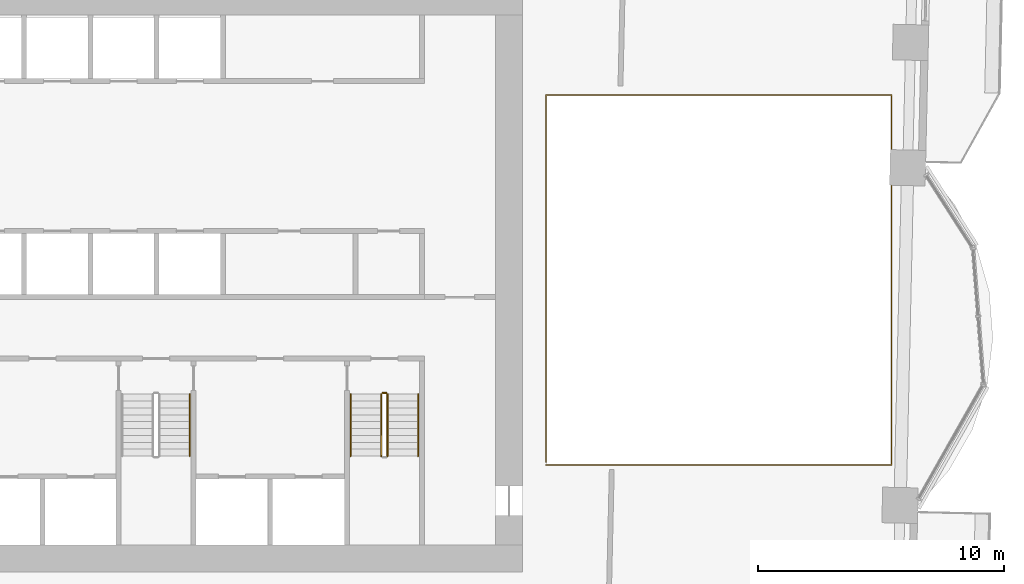
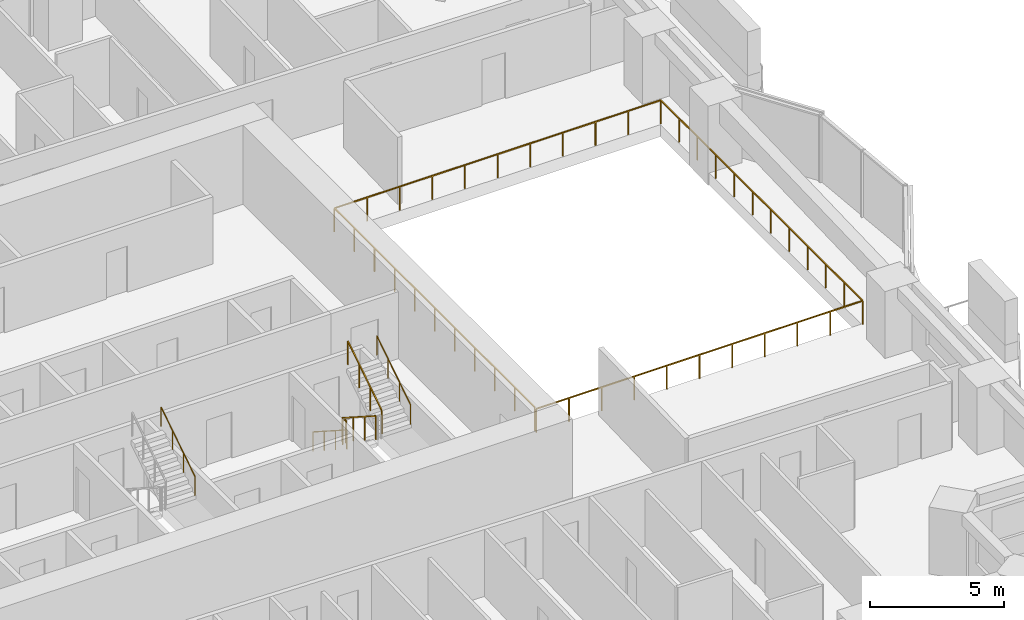
# One storey, part 17 of 18: 7 railings.
"""IFC4 building model written with IfcOpenShell, lengths in metres."""

import ifcopenshell
import ifcopenshell.guid

model = None  # the IFC model being written
_history = None  # IfcOwnerHistory: only IFC2X3 demands one
_inside = {}  # id of a spatial element -> (the spatial element, [elements in it])
_under = {}  # id of a project, library or spatial element -> (it, [spatial elements below it])
_declared = {}  # id of a project -> (the project, [libraries it declares])
_typed = {}  # id of a type object -> (the type object, [elements of that type])
_made_of = {}  # id of a material, layer set ... -> (it, [elements and type objects made of it])


def new_model(schema):
    """Start an empty IFC model of exactly this schema.

    Asked for "IFC4X3", IfcOpenShell would pick the latest addendum, in which some entities
    have other attributes; the version numbers below select the first issue.
    IFC2X3 requires an IfcOwnerHistory on every rooted entity: one is made here for all.
    """
    global model, _history
    if schema == "IFC4X3":
        model = ifcopenshell.file(schema_version=(4, 3, 0, 0))
    else:
        model = ifcopenshell.file(schema=schema)
    _inside.clear()
    _under.clear()
    _declared.clear()
    _typed.clear()
    _made_of.clear()
    _history = None
    if model.schema == "IFC2X3":
        org = make("IfcOrganization", Name="unknown")
        user = make(
            "IfcPersonAndOrganization",
            ThePerson=make("IfcPerson", FamilyName="unknown"),
            TheOrganization=org,
        )
        app = make(
            "IfcApplication",
            ApplicationDeveloper=org,
            Version="unknown",
            ApplicationFullName="unknown",
            ApplicationIdentifier="unknown",
        )
        _history = make(
            "IfcOwnerHistory",
            OwningUser=user,
            OwningApplication=app,
            ChangeAction="ADDED",
            CreationDate=0,
        )
    return model


def make(cls, **values):
    """One entity of the class cls with the attributes given. An attribute that is None is left unset."""
    return model.create_entity(
        cls, **{name: value for name, value in values.items() if value is not None}
    )


def rooted(cls, **values):
    """An entity with a GlobalId (a new one), such as an element, a storey or a relation."""
    return make(cls, GlobalId=ifcopenshell.guid.new(), OwnerHistory=_history, **values)


def si_unit(unit_type, name, prefix=None):
    """IfcSIUnit, for example si_unit("LENGTHUNIT", "METRE", prefix="MILLI")."""
    return make("IfcSIUnit", UnitType=unit_type, Prefix=prefix, Name=name)


def assignment(units):
    """IfcUnitAssignment: the units of a project."""
    return None if units is None else make("IfcUnitAssignment", Units=units)


def point(xyz):
    """IfcCartesianPoint."""
    return None if xyz is None else make("IfcCartesianPoint", Coordinates=xyz)


def direction(xyz):
    """IfcDirection."""
    return None if xyz is None else make("IfcDirection", DirectionRatios=xyz)


def frame(location, z_axis=None, x_axis=None):
    """IfcAxis2Placement3D, a coordinate frame: its origin and axes. An axis left out is left unset."""
    return make(
        "IfcAxis2Placement3D",
        Location=point(location),
        Axis=direction(z_axis),
        RefDirection=direction(x_axis),
    )


def frame_2d(location, x_axis=None):
    """IfcAxis2Placement2D, a coordinate frame in the plane: its origin and x axis."""
    return make(
        "IfcAxis2Placement2D", Location=point(location), RefDirection=direction(x_axis)
    )


def origin():
    """The frame at (0, 0, 0) with its axes left unset."""
    return frame((0.0, 0.0, 0.0))


def origin_2d():
    """The frame at (0, 0) in the plane with its x axis left unset."""
    return frame_2d((0.0, 0.0))


def place(relative_to, where):
    """IfcLocalPlacement: puts the frame where relative to a parent placement (None: the world)."""
    return make(
        "IfcLocalPlacement", PlacementRelTo=relative_to, RelativePlacement=where
    )


def context(
    kind, dimensions, precision=None, world=None, true_north=None, identifier=None
):
    """IfcGeometricRepresentationContext, for example the 3D "Model" context."""
    return make(
        "IfcGeometricRepresentationContext",
        ContextIdentifier=identifier,
        ContextType=kind,
        CoordinateSpaceDimension=dimensions,
        Precision=precision,
        WorldCoordinateSystem=world,
        TrueNorth=true_north,
    )


def subcontext(parent, identifier, kind, view, scale=None):
    """IfcGeometricRepresentationSubContext, for example "Body" below "Model"."""
    return make(
        "IfcGeometricRepresentationSubContext",
        ContextIdentifier=identifier,
        ContextType=kind,
        ParentContext=parent,
        TargetScale=scale,
        TargetView=view,
    )


def project(units=None, contexts=None):
    """IfcProject with its units and contexts."""
    return rooted(
        "IfcProject",
        Name="project",
        RepresentationContexts=contexts,
        UnitsInContext=assignment(units),
    )


def spatial(cls, under=None, at=None, **own):
    """A site, building, storey or space (cls), placed at a placement, below another one or the project."""
    s = rooted(cls, ObjectPlacement=at, **own)
    if under is not None:
        _under.setdefault(under.id(), (under, []))[1].append(s)
    return s


def profile(cls, at=None, kind="AREA", **sizes):
    """A parametric profile (cls). Its sizes go by their IFC names, for example OverallWidth=200.0."""
    return make(cls, ProfileType=kind, Position=at, **sizes)


def rectangle(**sizes):
    """IfcRectangleProfileDef."""
    return profile("IfcRectangleProfileDef", **sizes)


def circle(**sizes):
    """IfcCircleProfileDef."""
    return profile("IfcCircleProfileDef", **sizes)


def extrude(swept, where, along, depth):
    """IfcExtrudedAreaSolid: the profile swept, set in the frame where, extruded along a direction by depth."""
    return make(
        "IfcExtrudedAreaSolid",
        SweptArea=swept,
        Position=where,
        ExtrudedDirection=direction(along),
        Depth=depth,
    )


def shape(context_of_items, identifier, shape_type, items):
    """IfcShapeRepresentation: the items that make up one representation, for example the "Body"."""
    return make(
        "IfcShapeRepresentation",
        ContextOfItems=context_of_items,
        RepresentationIdentifier=identifier,
        RepresentationType=shape_type,
        Items=items,
    )


def material(Name=None, Category=None):
    """IfcMaterial."""
    return make("IfcMaterial", Name=Name, Category=Category)


def made_of(thing, what):
    """Note that an element or type object is made of a material, layer set ...; save() writes the relation."""
    if what is not None:
        _made_of.setdefault(what.id(), (what, []))[1].append(thing)
    return thing


def type_object(cls, material=None, **own):
    """A type object (cls), such as IfcWallType, which elements share."""
    return made_of(rooted(cls, **own), material)


def element(
    cls,
    number,
    at=None,
    inside=None,
    cuts=None,
    type_object=None,
    material=None,
    context=None,
    identifier="Body",
    shape_type=None,
    held_by="IfcProductDefinitionShape",
    body=None,
    shapes=None,
    **own,
):
    """One element of the class cls, such as IfcWall. Its Tag is "e" and its number.

    at: its placement. inside: the storey or other place that contains it. cuts: it is an
    opening in that element (IfcRelVoidsElement). A single representation is given by context,
    identifier, shape_type and body (its items); several are given by shapes. held_by: the class
    of the entity that holds the representations. save() writes the other relations.
    """
    e = rooted(cls, Tag="e%d" % number, ObjectPlacement=at, **own)
    if body is not None:
        shapes = [shape(context, identifier, shape_type, body)]
    if shapes is not None:
        e.Representation = make(held_by, Representations=shapes)
    if inside is not None:
        _inside.setdefault(inside.id(), (inside, []))[1].append(e)
    if cuts is not None:
        rooted(
            "IfcRelVoidsElement", RelatingBuildingElement=cuts, RelatedOpeningElement=e
        )
    if type_object is not None:
        _typed.setdefault(type_object.id(), (type_object, []))[1].append(e)
    return made_of(e, material)


def aggregate(whole, parts):
    """IfcRelAggregates: a whole, such as a stair, and the parts it consists of."""
    return rooted("IfcRelAggregates", RelatingObject=whole, RelatedObjects=parts)


def save(model, path):
    """Write the relations noted so far, then the file.

    IfcRelAggregates (storeys below a building ...), IfcRelContainedInSpatialStructure (elements
    in a storey), IfcRelDefinesByType, IfcRelAssociatesMaterial and IfcRelDeclares: one each for
    every whole, place, type object, material and project.
    """
    for whole, parts in _under.values():
        aggregate(whole, parts)
    for where, things in _inside.values():
        rooted(
            "IfcRelContainedInSpatialStructure",
            RelatedElements=things,
            RelatingStructure=where,
        )
    for kind, things in _typed.values():
        rooted("IfcRelDefinesByType", RelatedObjects=things, RelatingType=kind)
    for what, things in _made_of.values():
        rooted("IfcRelAssociatesMaterial", RelatedObjects=things, RelatingMaterial=what)
    for by, libraries in _declared.values():
        rooted("IfcRelDeclares", RelatingContext=by, RelatedDefinitions=libraries)
    model.write(path)


model = new_model("IFC4")

# Units and contexts
model_context = context("Model", 3, precision=1e-05, world=origin(), true_north=direction((0.0, 1.0)))
body_context = subcontext(model_context, "Body", "Model", "MODEL_VIEW")
ifc_project = project(units=[si_unit("LENGTHUNIT", "METRE"), si_unit("AREAUNIT", "SQUARE_METRE"), si_unit("VOLUMEUNIT", "CUBIC_METRE"), si_unit("PLANEANGLEUNIT", "RADIAN"), si_unit("MASSUNIT", "GRAM", prefix="KILO")], contexts=[model_context])

# Site, building, storey
site_placement = place(None, origin())
site = spatial("IfcSite", under=ifc_project, at=site_placement, CompositionType="ELEMENT")
building_placement = place(site_placement, origin())
building = spatial("IfcBuilding", under=site, at=building_placement, Name="Mangrove Gate Tower", CompositionType="ELEMENT")
storey_placement = place(building_placement, frame((0.0, 0.0, 67.5)))
storey = spatial("IfcBuildingStorey", under=building, at=storey_placement, Name="L16", CompositionType="ELEMENT", Elevation=67.5)

# Railings
ifc_material_1 = material(Name="Stainless steel grade 316 with laminated glass infill", Category="steel")
railing_type_1 = type_object("IfcRailingType", Name="Balcony guard 1100", PredefinedType="GUARDRAIL", material=ifc_material_1)
railing_1_placement = place(storey_placement, frame((15.860107421875, -7.5400390625, 0.0)))
element("IfcRailing", 1, at=railing_1_placement, inside=storey, type_object=railing_type_1, Name="GUARD L16 atrium", PredefinedType="GUARDRAIL", context=body_context, shape_type="SweptSolid", body=[
    extrude(rectangle(XDim=0.048095703125, YDim=0.048095703125, at=origin_2d()), frame((0.0, 0.0, 1.076171875), z_axis=(1.0, 0.0, 0.0), x_axis=(0.0, 1.0, 0.0)), (0.0, 0.0, 1.0), 14.06982421875),
    extrude(rectangle(XDim=0.048095703125, YDim=0.048095703125, at=origin_2d()), frame((14.06982421875, 0.0, 1.076171875), z_axis=(0.0, 1.0, 0.0), x_axis=(-1.0, 0.0, 0.0)), (0.0, 0.0, 1.0), 15.080078125),
    extrude(rectangle(XDim=0.048095703125, YDim=0.048095703125, at=origin_2d()), frame((14.06982421875, 15.080078125, 1.076171875), z_axis=(-1.0, 0.0, 0.0), x_axis=(0.0, -1.0, 0.0)), (0.0, 0.0, 1.0), 14.06982421875),
    extrude(rectangle(XDim=0.048095703125, YDim=0.048095703125, at=origin_2d()), frame((0.0, 15.080078125, 1.076171875), z_axis=(0.0, -1.0, 0.0), x_axis=(1.0, 0.0, 0.0)), (0.0, 0.0, 1.0), 14.9599609375),
    extrude(rectangle(XDim=0.0419921875, YDim=0.0419921875, at=origin_2d()), origin(), (0.0, 0.0, 1.0), 1.052001953125),
    extrude(rectangle(XDim=0.0419921875, YDim=0.0419921875, at=origin_2d()), frame((1.406982421875, 0.0, 0.0)), (0.0, 0.0, 1.0), 1.052001953125),
    extrude(rectangle(XDim=0.0419921875, YDim=0.0419921875, at=origin_2d()), frame((2.81396484375, 0.0, 0.0)), (0.0, 0.0, 1.0), 1.052001953125),
    extrude(rectangle(XDim=0.0419921875, YDim=0.0419921875, at=origin_2d()), frame((4.220947265625, 0.0, 0.0)), (0.0, 0.0, 1.0), 1.052001953125),
    extrude(rectangle(XDim=0.0419921875, YDim=0.0419921875, at=origin_2d()), frame((5.6279296875, 0.0, 0.0)), (0.0, 0.0, 1.0), 1.052001953125),
    extrude(rectangle(XDim=0.0419921875, YDim=0.0419921875, at=origin_2d()), frame((7.034912109375, 0.0, 0.0)), (0.0, 0.0, 1.0), 1.052001953125),
    extrude(rectangle(XDim=0.0419921875, YDim=0.0419921875, at=origin_2d()), frame((8.44189453125, 0.0, 0.0)), (0.0, 0.0, 1.0), 1.052001953125),
    extrude(rectangle(XDim=0.0419921875, YDim=0.0419921875, at=origin_2d()), frame((9.848876953125, 0.0, 0.0)), (0.0, 0.0, 1.0), 1.052001953125),
    extrude(rectangle(XDim=0.0419921875, YDim=0.0419921875, at=origin_2d()), frame((11.255859375, 0.0, 0.0)), (0.0, 0.0, 1.0), 1.052001953125),
    extrude(rectangle(XDim=0.0419921875, YDim=0.0419921875, at=origin_2d()), frame((12.662841796875, 0.0, 0.0)), (0.0, 0.0, 1.0), 1.052001953125),
    extrude(rectangle(XDim=0.0419921875, YDim=0.0419921875, at=origin_2d()), frame((14.06982421875, 0.0, 0.0)), (0.0, 0.0, 1.0), 1.052001953125),
    extrude(rectangle(XDim=0.0419921875, YDim=0.0419921875, at=origin_2d()), frame((14.06982421875, 1.370849609375, 0.0)), (0.0, 0.0, 1.0), 1.052001953125),
    extrude(rectangle(XDim=0.0419921875, YDim=0.0419921875, at=origin_2d()), frame((14.06982421875, 2.741943359375, 0.0)), (0.0, 0.0, 1.0), 1.052001953125),
    extrude(rectangle(XDim=0.0419921875, YDim=0.0419921875, at=origin_2d()), frame((14.06982421875, 4.11279296875, 0.0)), (0.0, 0.0, 1.0), 1.052001953125),
    extrude(rectangle(XDim=0.0419921875, YDim=0.0419921875, at=origin_2d()), frame((14.06982421875, 5.483642578125, 0.0)), (0.0, 0.0, 1.0), 1.052001953125),
    extrude(rectangle(XDim=0.0419921875, YDim=0.0419921875, at=origin_2d()), frame((14.06982421875, 6.8544921875, 0.0)), (0.0, 0.0, 1.0), 1.052001953125),
    extrude(rectangle(XDim=0.0419921875, YDim=0.0419921875, at=origin_2d()), frame((14.06982421875, 8.2255859375, 0.0)), (0.0, 0.0, 1.0), 1.052001953125),
    extrude(rectangle(XDim=0.0419921875, YDim=0.0419921875, at=origin_2d()), frame((14.06982421875, 9.596435546875, 0.0)), (0.0, 0.0, 1.0), 1.052001953125),
    extrude(rectangle(XDim=0.0419921875, YDim=0.0419921875, at=origin_2d()), frame((14.06982421875, 10.96728515625, 0.0)), (0.0, 0.0, 1.0), 1.052001953125),
    extrude(rectangle(XDim=0.0419921875, YDim=0.0419921875, at=origin_2d()), frame((14.06982421875, 12.338134765625, 0.0)), (0.0, 0.0, 1.0), 1.052001953125),
    extrude(rectangle(XDim=0.0419921875, YDim=0.0419921875, at=origin_2d()), frame((14.06982421875, 13.709228515625, 0.0)), (0.0, 0.0, 1.0), 1.052001953125),
    extrude(rectangle(XDim=0.0419921875, YDim=0.0419921875, at=origin_2d()), frame((14.06982421875, 15.080078125, 0.0)), (0.0, 0.0, 1.0), 1.052001953125),
    extrude(rectangle(XDim=0.0419921875, YDim=0.0419921875, at=origin_2d()), frame((12.662841796875, 15.080078125, 0.0)), (0.0, 0.0, 1.0), 1.052001953125),
    extrude(rectangle(XDim=0.0419921875, YDim=0.0419921875, at=origin_2d()), frame((11.255859375, 15.080078125, 0.0)), (0.0, 0.0, 1.0), 1.052001953125),
    extrude(rectangle(XDim=0.0419921875, YDim=0.0419921875, at=origin_2d()), frame((9.848876953125, 15.080078125, 0.0)), (0.0, 0.0, 1.0), 1.052001953125),
    extrude(rectangle(XDim=0.0419921875, YDim=0.0419921875, at=origin_2d()), frame((8.44189453125, 15.080078125, 0.0)), (0.0, 0.0, 1.0), 1.052001953125),
    extrude(rectangle(XDim=0.0419921875, YDim=0.0419921875, at=origin_2d()), frame((7.034912109375, 15.080078125, 0.0)), (0.0, 0.0, 1.0), 1.052001953125),
    extrude(rectangle(XDim=0.0419921875, YDim=0.0419921875, at=origin_2d()), frame((5.6279296875, 15.080078125, 0.0)), (0.0, 0.0, 1.0), 1.052001953125),
    extrude(rectangle(XDim=0.0419921875, YDim=0.0419921875, at=origin_2d()), frame((4.220947265625, 15.080078125, 0.0)), (0.0, 0.0, 1.0), 1.052001953125),
    extrude(rectangle(XDim=0.0419921875, YDim=0.0419921875, at=origin_2d()), frame((2.81396484375, 15.080078125, 0.0)), (0.0, 0.0, 1.0), 1.052001953125),
    extrude(rectangle(XDim=0.0419921875, YDim=0.0419921875, at=origin_2d()), frame((1.406982421875, 15.080078125, 0.0)), (0.0, 0.0, 1.0), 1.052001953125),
    extrude(rectangle(XDim=0.0419921875, YDim=0.0419921875, at=origin_2d()), frame((0.0, 15.080078125, 0.0)), (0.0, 0.0, 1.0), 1.052001953125),
    extrude(rectangle(XDim=0.0419921875, YDim=0.0419921875, at=origin_2d()), frame((0.0, 13.583984375, 0.0)), (0.0, 0.0, 1.0), 1.052001953125),
    extrude(rectangle(XDim=0.0419921875, YDim=0.0419921875, at=origin_2d()), frame((0.0, 12.088134765625, 0.0)), (0.0, 0.0, 1.0), 1.052001953125),
    extrude(rectangle(XDim=0.0419921875, YDim=0.0419921875, at=origin_2d()), frame((0.0, 10.592041015625, 0.0)), (0.0, 0.0, 1.0), 1.052001953125),
    extrude(rectangle(XDim=0.0419921875, YDim=0.0419921875, at=origin_2d()), frame((0.0, 9.09619140625, 0.0)), (0.0, 0.0, 1.0), 1.052001953125),
    extrude(rectangle(XDim=0.0419921875, YDim=0.0419921875, at=origin_2d()), frame((0.0, 7.60009765625, 0.0)), (0.0, 0.0, 1.0), 1.052001953125),
    extrude(rectangle(XDim=0.0419921875, YDim=0.0419921875, at=origin_2d()), frame((0.0, 6.10400390625, 0.0)), (0.0, 0.0, 1.0), 1.052001953125),
    extrude(rectangle(XDim=0.0419921875, YDim=0.0419921875, at=origin_2d()), frame((0.0, 4.608154296875, 0.0)), (0.0, 0.0, 1.0), 1.052001953125),
    extrude(rectangle(XDim=0.0419921875, YDim=0.0419921875, at=origin_2d()), frame((0.0, 3.112060546875, 0.0)), (0.0, 0.0, 1.0), 1.052001953125),
    extrude(rectangle(XDim=0.0419921875, YDim=0.0419921875, at=origin_2d()), frame((0.0, 1.6162109375, 0.0)), (0.0, 0.0, 1.0), 1.052001953125),
    extrude(rectangle(XDim=0.0419921875, YDim=0.0419921875, at=origin_2d()), frame((0.0, 0.1201171875, 0.0)), (0.0, 0.0, 1.0), 1.052001953125),
])
ifc_material_2 = material(Name="Stainless steel 316", Category="steel")
railing_type_2 = type_object("IfcRailingType", Name="Core stair guard 1100", PredefinedType="GUARDRAIL", material=ifc_material_2)
railing_2_placement = place(storey_placement, frame((9.14990234375, -4.64990234375, 0.179931640625)))
element("IfcRailing", 2, at=railing_2_placement, inside=storey, type_object=railing_type_2, Name="L16 ST3 stair guard 1", PredefinedType="GUARDRAIL", context=body_context, shape_type="SweptSolid", body=[
    extrude(rectangle(XDim=0.048095703125, YDim=0.048095703125, at=origin_2d()), frame((0.0, 0.0, 1.076171875), z_axis=(0.0, -0.841162588446, 0.540782303519), x_axis=(1.0, 0.0, 0.0)), (0.0, 0.0, 1.0), 2.995849609375),
    extrude(rectangle(XDim=0.0419921875, YDim=0.0419921875, at=origin_2d()), origin(), (0.0, 0.0, 1.0), 1.052001953125),
    extrude(rectangle(XDim=0.0419921875, YDim=0.0419921875, at=origin_2d()), frame((0.0, -0.840087890625, 0.5400390625)), (0.0, 0.0, 1.0), 1.052001953125),
    extrude(rectangle(XDim=0.0419921875, YDim=0.0419921875, at=origin_2d()), frame((0.0, -1.679931640625, 1.080078125)), (0.0, 0.0, 1.0), 1.052001953125),
    extrude(rectangle(XDim=0.0419921875, YDim=0.0419921875, at=origin_2d()), frame((0.0, -2.52001953125, 1.6201171875)), (0.0, 0.0, 1.0), 1.052001953125),
])
railing_3_placement = place(storey_placement, frame((9.39990234375, -7.169921875, 1.97998046875)))
element("IfcRailing", 3, at=railing_3_placement, inside=storey, type_object=railing_type_2, Name="L16 ST3 stair guard 3", PredefinedType="GUARDRAIL", context=body_context, shape_type="SweptSolid", body=[
    extrude(rectangle(XDim=0.048095703125, YDim=0.048095703125, at=origin_2d()), frame((0.0, 0.0, 1.076171875), z_axis=(0.0, 0.841162588446, 0.540782303519), x_axis=(-1.0, 0.0, 0.0)), (0.0, 0.0, 1.0), 2.995849609375),
    extrude(rectangle(XDim=0.0419921875, YDim=0.0419921875, at=origin_2d()), origin(), (0.0, 0.0, 1.0), 1.052001953125),
    extrude(rectangle(XDim=0.0419921875, YDim=0.0419921875, at=origin_2d()), frame((0.0, 0.840087890625, 0.5400390625)), (0.0, 0.0, 1.0), 1.052001953125),
    extrude(rectangle(XDim=0.0419921875, YDim=0.0419921875, at=origin_2d()), frame((0.0, 1.679931640625, 1.080078125)), (0.0, 0.0, 1.0), 1.052001953125),
    extrude(rectangle(XDim=0.0419921875, YDim=0.0419921875, at=origin_2d()), frame((0.0, 2.52001953125, 1.6201171875)), (0.0, 0.0, 1.0), 1.052001953125),
])
railing_4_placement = place(storey_placement, frame((9.199951171875, -4.60009765625, 0.0)))
element("IfcRailing", 4, at=railing_4_placement, inside=storey, type_object=railing_type_2, Name="L16 ST3 stair guard 4", PredefinedType="GUARDRAIL", context=body_context, shape_type="SweptSolid", body=[
    extrude(rectangle(XDim=0.048095703125, YDim=0.048095703125, at=origin_2d()), frame((0.0, 0.0, 1.076171875), z_axis=(1.0, 0.0, 0.0), x_axis=(0.0, 1.0, 0.0)), (0.0, 0.0, 1.0), 0.150146484375),
    extrude(rectangle(XDim=0.0419921875, YDim=0.0419921875, at=origin_2d()), origin(), (0.0, 0.0, 1.0), 1.052001953125),
    extrude(rectangle(XDim=0.0419921875, YDim=0.0419921875, at=origin_2d()), frame((0.150146484375, 0.0, 0.0)), (0.0, 0.0, 1.0), 1.052001953125),
])
ifc_material_3 = material(Name="Stainless steel 316", Category="steel")
railing_type_3 = type_object("IfcRailingType", Name="Core stair handrail 900", PredefinedType="HANDRAIL", material=ifc_material_3)
railing_5_placement = place(storey_placement, frame((1.35009765625, -7.169921875, 1.97998046875)))
element("IfcRailing", 5, at=railing_5_placement, inside=storey, type_object=railing_type_3, Name="L16 ST2 stair handrail 2", PredefinedType="HANDRAIL", context=body_context, shape_type="SweptSolid", body=[
    extrude(circle(Radius=0.02392578125, at=origin_2d()), frame((0.0, 0.0, 0.8759765625), z_axis=(0.0, 0.841162588446, 0.540782303519), x_axis=(-1.0, 0.0, 0.0)), (0.0, 0.0, 1.0), 2.995849609375),
    extrude(circle(Radius=0.02099609375, at=origin_2d()), origin(), (0.0, 0.0, 1.0), 0.851806640625),
    extrude(circle(Radius=0.02099609375, at=origin_2d()), frame((0.0, 0.840087890625, 0.5400390625)), (0.0, 0.0, 1.0), 0.851806640625),
    extrude(circle(Radius=0.02099609375, at=origin_2d()), frame((0.0, 1.679931640625, 1.080078125)), (0.0, 0.0, 1.0), 0.851806640625),
    extrude(circle(Radius=0.02099609375, at=origin_2d()), frame((0.0, 2.52001953125, 1.6201171875)), (0.0, 0.0, 1.0), 0.851806640625),
])
railing_6_placement = place(storey_placement, frame((7.89990234375, -4.64990234375, 0.179931640625)))
element("IfcRailing", 6, at=railing_6_placement, inside=storey, type_object=railing_type_3, Name="L16 ST3 stair handrail 1", PredefinedType="HANDRAIL", context=body_context, shape_type="SweptSolid", body=[
    extrude(circle(Radius=0.02392578125, at=origin_2d()), frame((0.0, 0.0, 0.8759765625), z_axis=(0.0, -0.841162588446, 0.540782303519), x_axis=(1.0, 0.0, 0.0)), (0.0, 0.0, 1.0), 2.995849609375),
    extrude(circle(Radius=0.02099609375, at=origin_2d()), origin(), (0.0, 0.0, 1.0), 0.851806640625),
    extrude(circle(Radius=0.02099609375, at=origin_2d()), frame((0.0, -0.840087890625, 0.5400390625)), (0.0, 0.0, 1.0), 0.851806640625),
    extrude(circle(Radius=0.02099609375, at=origin_2d()), frame((0.0, -1.679931640625, 1.080078125)), (0.0, 0.0, 1.0), 0.851806640625),
    extrude(circle(Radius=0.02099609375, at=origin_2d()), frame((0.0, -2.52001953125, 1.6201171875)), (0.0, 0.0, 1.0), 0.851806640625),
])
railing_7_placement = place(storey_placement, frame((10.64990234375, -7.169921875, 1.97998046875)))
element("IfcRailing", 7, at=railing_7_placement, inside=storey, type_object=railing_type_3, Name="L16 ST3 stair handrail 2", PredefinedType="HANDRAIL", context=body_context, shape_type="SweptSolid", body=[
    extrude(circle(Radius=0.02392578125, at=origin_2d()), frame((0.0, 0.0, 0.8759765625), z_axis=(0.0, 0.841162588446, 0.540782303519), x_axis=(-1.0, 0.0, 0.0)), (0.0, 0.0, 1.0), 2.995849609375),
    extrude(circle(Radius=0.02099609375, at=origin_2d()), origin(), (0.0, 0.0, 1.0), 0.851806640625),
    extrude(circle(Radius=0.02099609375, at=origin_2d()), frame((0.0, 0.840087890625, 0.5400390625)), (0.0, 0.0, 1.0), 0.851806640625),
    extrude(circle(Radius=0.02099609375, at=origin_2d()), frame((0.0, 1.679931640625, 1.080078125)), (0.0, 0.0, 1.0), 0.851806640625),
    extrude(circle(Radius=0.02099609375, at=origin_2d()), frame((0.0, 2.52001953125, 1.6201171875)), (0.0, 0.0, 1.0), 0.851806640625),
])

save(model, "model.ifc")
